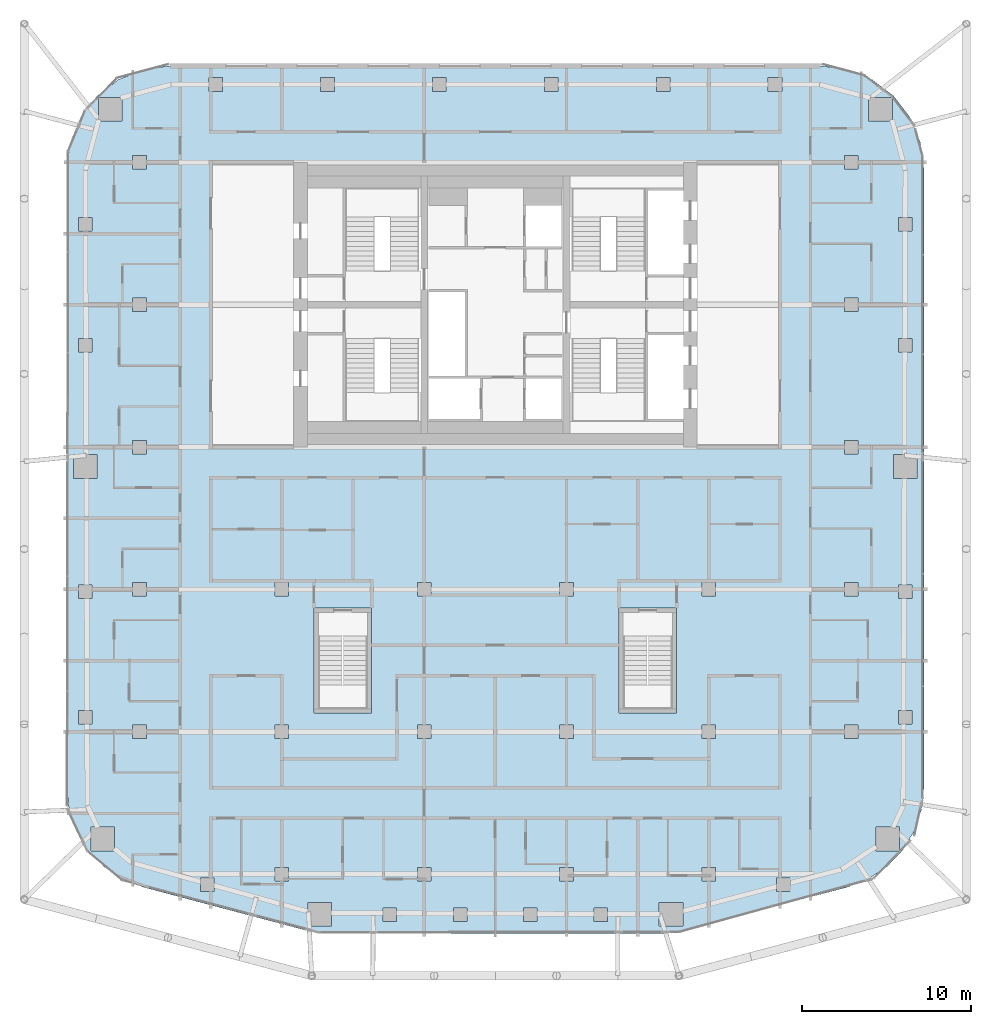
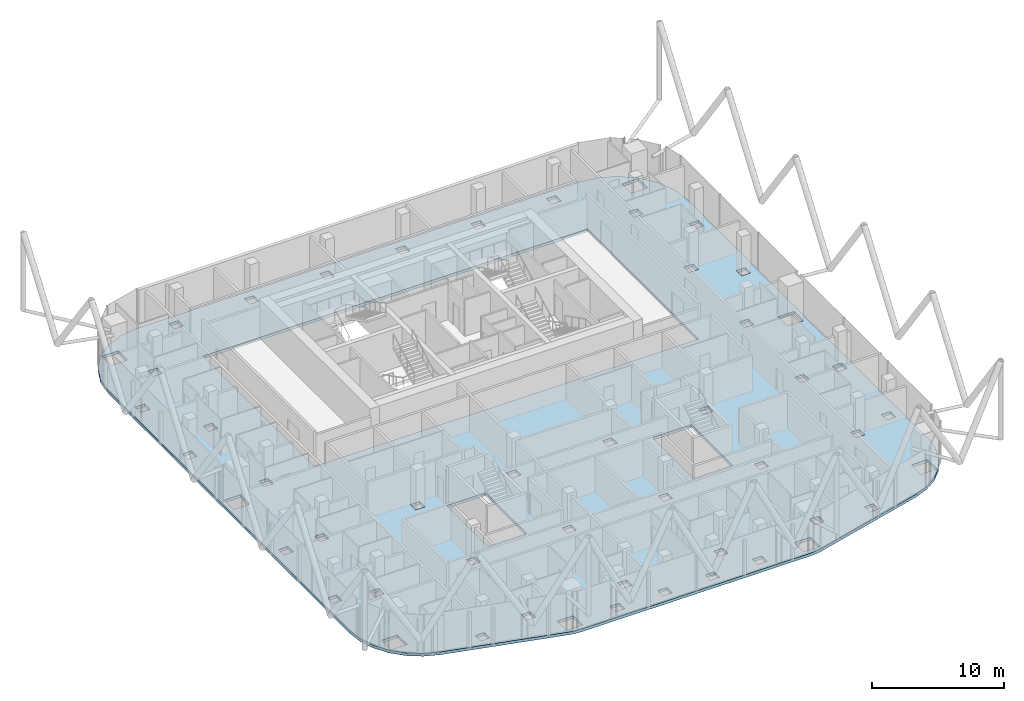
# One storey, part 17 of 31: 1 slab.
"""IFC4 building model written with IfcOpenShell, lengths in metres."""

from ifc_helpers import new_model, si_unit, direction, frame, origin, place, context, subcontext, project, spatial, polyline, outline, extrude, material, layer, layer_set, type_object, element, save


model = new_model("IFC4")

# Units and contexts
model_context = context("Model", 3, precision=1e-05, world=origin(), true_north=direction((0.0, 1.0)))
body_context = subcontext(model_context, "Body", "Model", "MODEL_VIEW")
ifc_project = project(units=[si_unit("LENGTHUNIT", "METRE"), si_unit("AREAUNIT", "SQUARE_METRE"), si_unit("VOLUMEUNIT", "CUBIC_METRE"), si_unit("PLANEANGLEUNIT", "RADIAN"), si_unit("MASSUNIT", "GRAM", prefix="KILO")], contexts=[model_context])

# Site, building, storey
site_placement = place(None, origin())
site = spatial("IfcSite", under=ifc_project, at=site_placement, CompositionType="ELEMENT")
building_placement = place(site_placement, origin())
building = spatial("IfcBuilding", under=site, at=building_placement, Name="Marenta Gate Hotel Tower", CompositionType="ELEMENT")
storey_placement = place(building_placement, frame((0.0, 0.0, 220.10009765625)))
storey = spatial("IfcBuildingStorey", under=building, at=storey_placement, Name="L51", CompositionType="ELEMENT", Elevation=220.10009765625)

# Slab
ifc_material = material(Name="Concrete C35", Category="concrete")
ifc_layer = layer(ifc_material, 0.260009765625)
ifc_layer_set = layer_set([ifc_layer], Name="Concrete C35")
slab_type = type_object("IfcSlabType", Name="Concrete floor slab 260", PredefinedType="FLOOR", material=ifc_layer_set)
slab_placement = place(storey_placement, frame((0.0, 0.0, -0.260009765625)))
element("IfcSlab", 1, at=slab_placement, inside=storey, type_object=slab_type, Name="L51-SL-1", PredefinedType="FLOOR", context=body_context, shape_type="SweptSolid", body=[
    extrude(outline(polyline([(-23.11376953125, -24.76416015625), (-24.035400390625, -23.803955078125), (-24.72705078125, -22.6669921875), (-25.155517578125, -21.4072265625), (-25.300048828125, -20.08984375), (-25.300048828125, 16.406494140625), (-25.093017578125, 17.97900390625), (-24.483642578125, 19.450439453125), (-23.513916015625, 20.7138671875), (-22.25048828125, 21.68359375), (-20.779052734375, 22.29296875), (-19.20654296875, 22.5), (19.20654296875, 22.5), (20.779052734375, 22.29296875), (22.25048828125, 21.68359375), (23.513916015625, 20.7138671875), (24.483642578125, 19.450439453125), (25.093017578125, 17.97900390625), (25.300048828125, 16.406494140625), (25.300048828125, -20.08984375), (25.155517578125, -21.4072265625), (24.72705078125, -22.6669921875), (24.035400390625, -23.803955078125), (23.11376953125, -24.76416015625), (22.005859375, -25.501220703125), (20.76953125, -25.978759765625), (11.026611328125, -28.563720703125), (10.508544921875, -28.665771484375), (9.981689453125, -28.699951171875), (-9.981689453125, -28.699951171875), (-10.508544921875, -28.665771484375), (-11.026611328125, -28.563720703125), (-20.76953125, -25.978759765625), (-22.005859375, -25.501220703125), (-23.11376953125, -24.76416015625)]), holes=[polyline([(-16.800048828125, 0.0), (16.800048828125, 0.0), (16.800048828125, 16.800048828125), (-16.800048828125, 16.800048828125), (-16.800048828125, 0.0)]), polyline([(-16.606689453125, -25.439208984375), (-17.40673828125, -25.439208984375), (-17.40673828125, -26.239013671875), (-16.606689453125, -26.239013671875), (-16.606689453125, -25.439208984375)]), polyline([(-12.199951171875, -25.60009765625), (-12.199951171875, -24.800048828125), (-13.0, -24.800048828125), (-13.0, -25.60009765625), (-12.199951171875, -25.60009765625)]), polyline([(-22.462890625, -23.8330078125), (-22.462890625, -22.43310546875), (-23.863037109375, -22.43310546875), (-23.863037109375, -23.8330078125), (-22.462890625, -23.8330078125)]), polyline([(-12.199951171875, -16.39990234375), (-13.0, -16.39990234375), (-13.0, -17.199951171875), (-12.199951171875, -17.199951171875), (-12.199951171875, -16.39990234375)]), polyline([(-20.60009765625, -17.199951171875), (-20.60009765625, -16.39990234375), (-21.39990234375, -16.39990234375), (-21.39990234375, -17.199951171875), (-20.60009765625, -17.199951171875)]), polyline([(-23.800048828125, -16.351806640625), (-23.800048828125, -15.552001953125), (-24.60009765625, -15.552001953125), (-24.60009765625, -16.351806640625), (-23.800048828125, -16.351806640625)]), polyline([(-23.800048828125, -8.15087890625), (-24.60009765625, -8.15087890625), (-24.60009765625, -8.950927734375), (-23.800048828125, -8.950927734375), (-23.800048828125, -8.15087890625)]), polyline([(-12.199951171875, -8.800048828125), (-12.199951171875, -8.0), (-13.0, -8.0), (-13.0, -8.800048828125), (-12.199951171875, -8.800048828125)]), polyline([(-20.60009765625, -8.800048828125), (-20.60009765625, -8.0), (-21.39990234375, -8.0), (-21.39990234375, -8.800048828125), (-20.60009765625, -8.800048828125)]), polyline([(-23.5, -0.449951171875), (-24.89990234375, -0.449951171875), (-24.89990234375, -1.85009765625), (-23.5, -1.85009765625), (-23.5, -0.449951171875)]), polyline([(-20.60009765625, -0.39990234375), (-20.60009765625, 0.39990234375), (-21.39990234375, 0.39990234375), (-21.39990234375, -0.39990234375), (-20.60009765625, -0.39990234375)]), polyline([(-23.800048828125, 5.603271484375), (-23.800048828125, 6.4033203125), (-24.60009765625, 6.4033203125), (-24.60009765625, 5.603271484375), (-23.800048828125, 5.603271484375)]), polyline([(-20.60009765625, 8.800048828125), (-21.39990234375, 8.800048828125), (-21.39990234375, 8.0), (-20.60009765625, 8.0), (-20.60009765625, 8.800048828125)]), polyline([(-23.800048828125, 12.75634765625), (-23.800048828125, 13.556396484375), (-24.60009765625, 13.556396484375), (-24.60009765625, 12.75634765625), (-23.800048828125, 12.75634765625)]), polyline([(-20.60009765625, 16.39990234375), (-20.60009765625, 17.199951171875), (-21.39990234375, 17.199951171875), (-21.39990234375, 16.39990234375), (-20.60009765625, 16.39990234375)]), polyline([(-22.035400390625, 20.635498046875), (-23.435546875, 20.635498046875), (-23.435546875, 19.235595703125), (-22.035400390625, 19.235595703125), (-22.035400390625, 20.635498046875)]), polyline([(-16.10693359375, 21.0), (-16.10693359375, 21.800048828125), (-16.906982421875, 21.800048828125), (-16.906982421875, 21.0), (-16.10693359375, 21.0)]), polyline([(-5.820068359375, -28.0), (-5.820068359375, -27.199951171875), (-6.6201171875, -27.199951171875), (-6.6201171875, -28.0), (-5.820068359375, -28.0)]), polyline([(6.6201171875, -27.199951171875), (5.820068359375, -27.199951171875), (5.820068359375, -28.0), (6.6201171875, -28.0), (6.6201171875, -27.199951171875)]), polyline([(2.473388671875, -28.0), (2.473388671875, -27.199951171875), (1.67333984375, -27.199951171875), (1.67333984375, -28.0), (2.473388671875, -28.0)]), polyline([(-1.67333984375, -28.0), (-1.67333984375, -27.199951171875), (-2.473388671875, -27.199951171875), (-2.473388671875, -28.0), (-1.67333984375, -28.0)]), polyline([(-9.666259765625, -28.27490234375), (-9.666259765625, -26.874755859375), (-11.06640625, -26.874755859375), (-11.06640625, -28.27490234375), (-9.666259765625, -28.27490234375)]), polyline([(11.06640625, -28.27490234375), (11.06640625, -26.874755859375), (9.666259765625, -26.874755859375), (9.666259765625, -28.27490234375), (11.06640625, -28.27490234375)]), polyline([(13.0, -25.60009765625), (13.0, -24.800048828125), (12.199951171875, -24.800048828125), (12.199951171875, -25.60009765625), (13.0, -25.60009765625)]), polyline([(4.60009765625, -25.60009765625), (4.60009765625, -24.800048828125), (3.800048828125, -24.800048828125), (3.800048828125, -25.60009765625), (4.60009765625, -25.60009765625)]), polyline([(-3.800048828125, -24.800048828125), (-4.60009765625, -24.800048828125), (-4.60009765625, -25.60009765625), (-3.800048828125, -25.60009765625), (-3.800048828125, -24.800048828125)]), polyline([(4.60009765625, -17.199951171875), (4.60009765625, -16.39990234375), (3.800048828125, -16.39990234375), (3.800048828125, -17.199951171875), (4.60009765625, -17.199951171875)]), polyline([(-3.800048828125, -17.199951171875), (-3.800048828125, -16.39990234375), (-4.60009765625, -16.39990234375), (-4.60009765625, -17.199951171875), (-3.800048828125, -17.199951171875)]), polyline([(4.60009765625, -8.0), (3.800048828125, -8.0), (3.800048828125, -8.800048828125), (4.60009765625, -8.800048828125), (4.60009765625, -8.0)]), polyline([(-3.800048828125, -8.800048828125), (-3.800048828125, -8.0), (-4.60009765625, -8.0), (-4.60009765625, -8.800048828125), (-3.800048828125, -8.800048828125)]), polyline([(-2.9013671875, 21.0), (-2.9013671875, 21.800048828125), (-3.701416015625, 21.800048828125), (-3.701416015625, 21.0), (-2.9013671875, 21.0)]), polyline([(3.701416015625, 21.800048828125), (2.9013671875, 21.800048828125), (2.9013671875, 21.0), (3.701416015625, 21.0), (3.701416015625, 21.800048828125)]), polyline([(10.30419921875, 21.0), (10.30419921875, 21.800048828125), (9.504150390625, 21.800048828125), (9.504150390625, 21.0), (10.30419921875, 21.0)]), polyline([(-9.504150390625, 21.0), (-9.504150390625, 21.800048828125), (-10.30419921875, 21.800048828125), (-10.30419921875, 21.0), (-9.504150390625, 21.0)]), polyline([(17.40673828125, -25.439208984375), (16.606689453125, -25.439208984375), (16.606689453125, -26.239013671875), (17.40673828125, -26.239013671875), (17.40673828125, -25.439208984375)]), polyline([(23.863037109375, -23.8330078125), (23.863037109375, -22.43310546875), (22.462890625, -22.43310546875), (22.462890625, -23.8330078125), (23.863037109375, -23.8330078125)]), polyline([(13.0, -17.199951171875), (13.0, -16.39990234375), (12.199951171875, -16.39990234375), (12.199951171875, -17.199951171875), (13.0, -17.199951171875)]), polyline([(21.39990234375, -16.39990234375), (20.60009765625, -16.39990234375), (20.60009765625, -17.199951171875), (21.39990234375, -17.199951171875), (21.39990234375, -16.39990234375)]), polyline([(24.60009765625, -16.351806640625), (24.60009765625, -15.552001953125), (23.800048828125, -15.552001953125), (23.800048828125, -16.351806640625), (24.60009765625, -16.351806640625)]), polyline([(24.60009765625, -8.950927734375), (24.60009765625, -8.15087890625), (23.800048828125, -8.15087890625), (23.800048828125, -8.950927734375), (24.60009765625, -8.950927734375)]), polyline([(13.0, -8.0), (12.199951171875, -8.0), (12.199951171875, -8.800048828125), (13.0, -8.800048828125), (13.0, -8.0)]), polyline([(21.39990234375, -8.800048828125), (21.39990234375, -8.0), (20.60009765625, -8.0), (20.60009765625, -8.800048828125), (21.39990234375, -8.800048828125)]), polyline([(24.89990234375, -1.85009765625), (24.89990234375, -0.449951171875), (23.5, -0.449951171875), (23.5, -1.85009765625), (24.89990234375, -1.85009765625)]), polyline([(21.39990234375, 0.39990234375), (20.60009765625, 0.39990234375), (20.60009765625, -0.39990234375), (21.39990234375, -0.39990234375), (21.39990234375, 0.39990234375)]), polyline([(24.60009765625, 5.603271484375), (24.60009765625, 6.4033203125), (23.800048828125, 6.4033203125), (23.800048828125, 5.603271484375), (24.60009765625, 5.603271484375)]), polyline([(21.39990234375, 8.0), (21.39990234375, 8.800048828125), (20.60009765625, 8.800048828125), (20.60009765625, 8.0), (21.39990234375, 8.0)]), polyline([(24.60009765625, 12.75634765625), (24.60009765625, 13.556396484375), (23.800048828125, 13.556396484375), (23.800048828125, 12.75634765625), (24.60009765625, 12.75634765625)]), polyline([(21.39990234375, 16.39990234375), (21.39990234375, 17.199951171875), (20.60009765625, 17.199951171875), (20.60009765625, 16.39990234375), (21.39990234375, 16.39990234375)]), polyline([(23.435546875, 19.235595703125), (23.435546875, 20.635498046875), (22.035400390625, 20.635498046875), (22.035400390625, 19.235595703125), (23.435546875, 19.235595703125)]), polyline([(16.906982421875, 21.0), (16.906982421875, 21.800048828125), (16.10693359375, 21.800048828125), (16.10693359375, 21.0), (16.906982421875, 21.0)]), polyline([(-7.300048828125, -15.699951171875), (-7.300048828125, -9.5), (-10.699951171875, -9.5), (-10.699951171875, -15.699951171875), (-7.300048828125, -15.699951171875)]), polyline([(10.699951171875, -15.699951171875), (10.699951171875, -9.5), (7.300048828125, -9.5), (7.300048828125, -15.699951171875), (10.699951171875, -15.699951171875)])]), origin(), (0.0, 0.0, 1.0), 0.260009765625),
])

save(model, "model.ifc")
